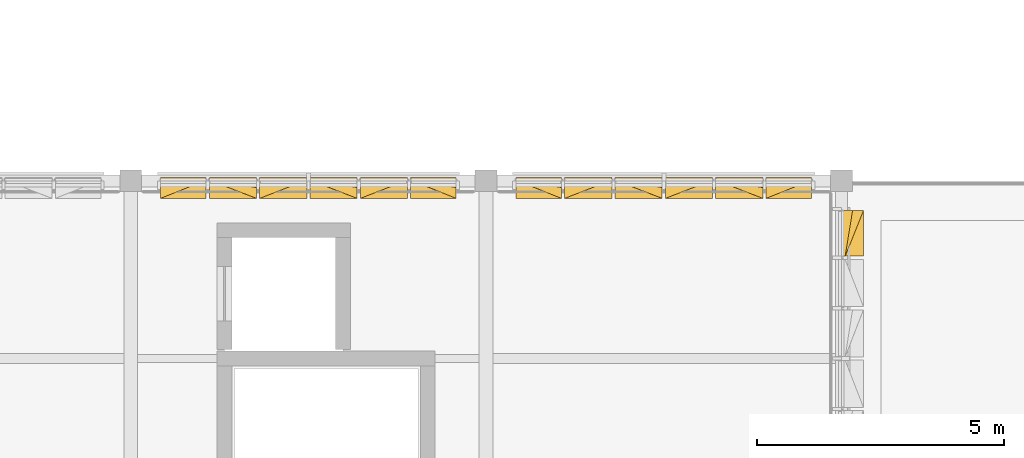
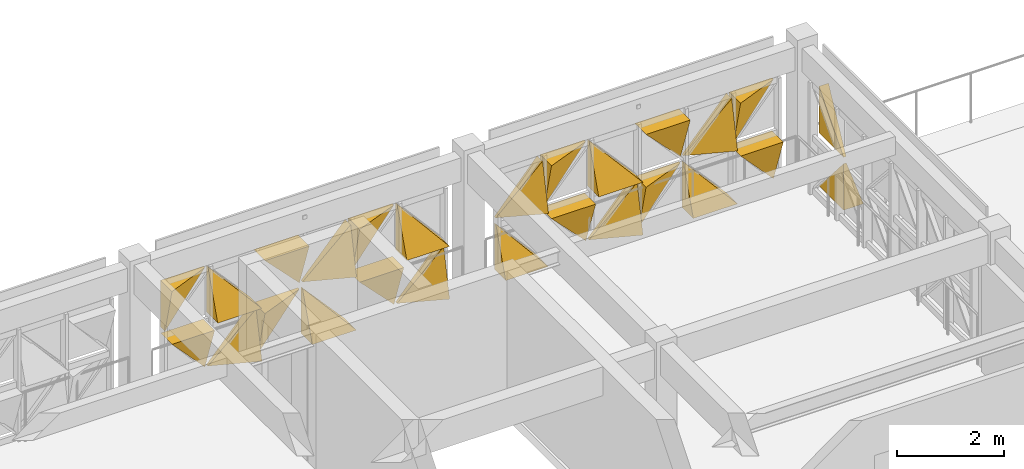
# One storey, part 35 of 35: 26 coverings.
"""IFC4 building model written with IfcOpenShell, lengths in metres."""

from ifc_helpers import new_model, si_unit, direction, frame, origin, place, context, subcontext, project, spatial, polygons, material, layer, layer_set, type_object, element, save


model = new_model("IFC4")

# Units and contexts
model_context = context("Model", 3, precision=1e-05, world=origin(), true_north=direction((0.0, 1.0)))
body_context = subcontext(model_context, "Body", "Model", "MODEL_VIEW")
ifc_project = project(units=[si_unit("LENGTHUNIT", "METRE"), si_unit("AREAUNIT", "SQUARE_METRE"), si_unit("VOLUMEUNIT", "CUBIC_METRE"), si_unit("PLANEANGLEUNIT", "RADIAN"), si_unit("MASSUNIT", "GRAM", prefix="KILO")], contexts=[model_context])

# Site, building, storey
site_placement = place(None, origin())
site = spatial("IfcSite", under=ifc_project, at=site_placement, CompositionType="ELEMENT")
building_placement = place(site_placement, origin())
building = spatial("IfcBuilding", under=site, at=building_placement, Name="Alvorim Cloister Faculty of Sciences", CompositionType="ELEMENT")
storey_placement = place(building_placement, frame((0.0, 0.0, 22.949951171875)))
storey = spatial("IfcBuildingStorey", under=building, at=storey_placement, Name="L06", CompositionType="ELEMENT", Elevation=22.949951171875)

# Coverings
ifc_material = material(Name="Perforated Bronze Alloy Sheet", Category="metal")
ifc_layer = layer(ifc_material, 0.0380859375)
ifc_layer_set = layer_set([ifc_layer], Name="Perforated Bronze Alloy Sheet")
covering_type = type_object("IfcCoveringType", Name="COV-TRI-BRZ", PredefinedType="CLADDING", material=ifc_layer_set)
covering_1_placement = place(storey_placement, frame((36.60498046875, 56.445068359375, 0.14013671875), z_axis=(0.0, 0.0, 1.0), x_axis=(1.0, 0.0, 0.0)))
element("IfcCovering", 1, at=covering_1_placement, inside=storey, type_object=covering_type, Name="Diagonal Solid Metal Triangle TRI-TR", PredefinedType="CLADDING", context=body_context, shape_type="Tessellation", body=[
    polygons([(0.922607421875, 0.0260009765625, 0.002), (0.922607421875, 0.0260009765625, 1.06494140625), (0.002, 0.0260009765625, 1.06494140625), (0.922607421875, -0.03, 0.002), (0.922607421875, -0.4, 1.06494140625), (0.002, -0.4, 1.06494140625)], [[[1, 3, 2]], [[4, 5, 6]], [[1, 2, 5, 4]], [[2, 3, 6, 5]], [[3, 1, 4, 6]]], closed=True),
])
covering_2_placement = place(storey_placement, frame((36.60498046875, 56.445068359375, 1.344970703125), z_axis=(0.0, 0.0, 1.0), x_axis=(1.0, 0.0, 0.0)))
element("IfcCovering", 2, at=covering_2_placement, inside=storey, type_object=covering_type, Name="Diagonal Solid Metal Triangle TRI-TL", PredefinedType="CLADDING", context=body_context, shape_type="Tessellation", body=[
    polygons([(0.920607421875, 0.0260009765625, 1.065185546875), (0.0, 0.0260009765625, 1.065185546875), (0.0, 0.0260009765625, 0.002), (0.920607421875, -0.03, 1.065185546875), (0.0, -0.4, 1.065185546875), (0.0, -0.13999999999999999, 0.002)], [[[1, 3, 2]], [[4, 5, 6]], [[1, 2, 5, 4]], [[2, 3, 6, 5]], [[3, 1, 4, 6]]], closed=True),
])
covering_3_placement = place(storey_placement, frame((37.592529296875, 56.445068359375, 0.14013671875), z_axis=(0.0, 0.0, 1.0), x_axis=(1.0, 0.0, 0.0)))
element("IfcCovering", 3, at=covering_3_placement, inside=storey, type_object=covering_type, Name="Diagonal Solid Metal Triangle TRI-BR", PredefinedType="CLADDING", context=body_context, shape_type="Tessellation", body=[
    polygons([(0.002, 0.0260009765625, 0.0), (0.955078125, 0.0260009765625, 0.0), (0.955078125, 0.0260009765625, 1.06294140625), (0.002, -0.03, 0.0), (0.955078125, -0.4, 0.0), (0.955078125, -0.18000000000000002, 1.06294140625)], [[[1, 3, 2]], [[4, 5, 6]], [[1, 2, 5, 4]], [[2, 3, 6, 5]], [[3, 1, 4, 6]]], closed=True),
])
covering_4_placement = place(storey_placement, frame((37.592529296875, 56.445068359375, 1.344970703125), z_axis=(0.0, 0.0, 1.0), x_axis=(1.0, 0.0, 0.0)))
element("IfcCovering", 4, at=covering_4_placement, inside=storey, type_object=covering_type, Name="Diagonal Solid Metal Triangle TRI-BL", PredefinedType="CLADDING", context=body_context, shape_type="Tessellation", body=[
    polygons([(0.0, 0.0260009765625, 0.0), (0.953078125, 0.0260009765625, 0.0), (0.0, 0.0260009765625, 1.063185546875), (0.0, -0.4, 0.0), (0.953078125, -0.4, 0.0), (0.0, -0.03, 1.063185546875)], [[[1, 3, 2]], [[4, 5, 6]], [[1, 2, 5, 4]], [[2, 3, 6, 5]], [[3, 1, 4, 6]]], closed=True),
])
covering_5_placement = place(storey_placement, frame((38.612548828125, 56.445068359375, 0.14013671875), z_axis=(0.0, 0.0, 1.0), x_axis=(1.0, 0.0, 0.0)))
element("IfcCovering", 5, at=covering_5_placement, inside=storey, type_object=covering_type, Name="Diagonal Solid Metal Triangle TRI-TL", PredefinedType="CLADDING", context=body_context, shape_type="Tessellation", body=[
    polygons([(0.953078125, 0.0260009765625, 1.06494140625), (0.0, 0.0260009765625, 1.06494140625), (0.0, 0.0260009765625, 0.002), (0.953078125, -0.03, 1.06494140625), (0.0, -0.4, 1.06494140625), (0.0, -0.13999999999999999, 0.002)], [[[1, 3, 2]], [[4, 5, 6]], [[1, 2, 5, 4]], [[2, 3, 6, 5]], [[3, 1, 4, 6]]], closed=True),
])
covering_6_placement = place(storey_placement, frame((38.612548828125, 56.445068359375, 1.344970703125), z_axis=(0.0, 0.0, 1.0), x_axis=(1.0, 0.0, 0.0)))
element("IfcCovering", 6, at=covering_6_placement, inside=storey, type_object=covering_type, Name="Diagonal Solid Metal Triangle TRI-TR", PredefinedType="CLADDING", context=body_context, shape_type="Tessellation", body=[
    polygons([(0.955078125, 0.0260009765625, 0.002), (0.955078125, 0.0260009765625, 1.065185546875), (0.002, 0.0260009765625, 1.065185546875), (0.955078125, -0.03, 0.002), (0.955078125, -0.4, 1.065185546875), (0.002, -0.4, 1.065185546875)], [[[1, 3, 2]], [[4, 5, 6]], [[1, 2, 5, 4]], [[2, 3, 6, 5]], [[3, 1, 4, 6]]], closed=True),
])
covering_7_placement = place(storey_placement, frame((39.632568359375, 56.445068359375, 0.14013671875), z_axis=(0.0, 0.0, 1.0), x_axis=(1.0, 0.0, 0.0)))
element("IfcCovering", 7, at=covering_7_placement, inside=storey, type_object=covering_type, Name="Diagonal Solid Metal Triangle TRI-BL", PredefinedType="CLADDING", context=body_context, shape_type="Tessellation", body=[
    polygons([(0.0, 0.0260009765625, 0.0), (0.953078125, 0.0260009765625, 0.0), (0.0, 0.0260009765625, 1.06294140625), (0.0, -0.4, 0.0), (0.953078125, -0.4, 0.0), (0.0, -0.03, 1.06294140625)], [[[1, 3, 2]], [[4, 5, 6]], [[1, 2, 5, 4]], [[2, 3, 6, 5]], [[3, 1, 4, 6]]], closed=True),
])
covering_8_placement = place(storey_placement, frame((39.632568359375, 56.445068359375, 1.344970703125), z_axis=(0.0, 0.0, 1.0), x_axis=(1.0, 0.0, 0.0)))
element("IfcCovering", 8, at=covering_8_placement, inside=storey, type_object=covering_type, Name="Diagonal Solid Metal Triangle TRI-BR", PredefinedType="CLADDING", context=body_context, shape_type="Tessellation", body=[
    polygons([(0.002, 0.0260009765625, 0.0), (0.955078125, 0.0260009765625, 0.0), (0.955078125, 0.0260009765625, 1.063185546875), (0.002, -0.03, 0.0), (0.955078125, -0.4, 0.0), (0.955078125, -0.18000000000000002, 1.063185546875)], [[[1, 3, 2]], [[4, 5, 6]], [[1, 2, 5, 4]], [[2, 3, 6, 5]], [[3, 1, 4, 6]]], closed=True),
])
covering_9_placement = place(storey_placement, frame((40.652587890625, 56.445068359375, 0.14013671875), z_axis=(0.0, 0.0, 1.0), x_axis=(1.0, 0.0, 0.0)))
element("IfcCovering", 9, at=covering_9_placement, inside=storey, type_object=covering_type, Name="Diagonal Solid Metal Triangle TRI-TR", PredefinedType="CLADDING", context=body_context, shape_type="Tessellation", body=[
    polygons([(0.955078125, 0.0260009765625, 0.002), (0.955078125, 0.0260009765625, 1.06494140625), (0.002, 0.0260009765625, 1.06494140625), (0.955078125, -0.03, 0.002), (0.955078125, -0.4, 1.06494140625), (0.002, -0.4, 1.06494140625)], [[[1, 3, 2]], [[4, 5, 6]], [[1, 2, 5, 4]], [[2, 3, 6, 5]], [[3, 1, 4, 6]]], closed=True),
])
covering_10_placement = place(storey_placement, frame((40.652587890625, 56.445068359375, 1.344970703125), z_axis=(0.0, 0.0, 1.0), x_axis=(1.0, 0.0, 0.0)))
element("IfcCovering", 10, at=covering_10_placement, inside=storey, type_object=covering_type, Name="Diagonal Solid Metal Triangle TRI-TL", PredefinedType="CLADDING", context=body_context, shape_type="Tessellation", body=[
    polygons([(0.953078125, 0.0260009765625, 1.065185546875), (0.0, 0.0260009765625, 1.065185546875), (0.0, 0.0260009765625, 0.002), (0.953078125, -0.03, 1.065185546875), (0.0, -0.4, 1.065185546875), (0.0, -0.13999999999999999, 0.002)], [[[1, 3, 2]], [[4, 5, 6]], [[1, 2, 5, 4]], [[2, 3, 6, 5]], [[3, 1, 4, 6]]], closed=True),
])
covering_11_placement = place(storey_placement, frame((41.672607421875, 56.445068359375, 0.14013671875), z_axis=(0.0, 0.0, 1.0), x_axis=(1.0, 0.0, 0.0)))
element("IfcCovering", 11, at=covering_11_placement, inside=storey, type_object=covering_type, Name="Diagonal Solid Metal Triangle TRI-BR", PredefinedType="CLADDING", context=body_context, shape_type="Tessellation", body=[
    polygons([(0.002, 0.0260009765625, 0.0), (0.922607421875, 0.0260009765625, 0.0), (0.922607421875, 0.0260009765625, 1.06294140625), (0.002, -0.03, 0.0), (0.922607421875, -0.4, 0.0), (0.922607421875, -0.18000000000000002, 1.06294140625)], [[[1, 3, 2]], [[4, 5, 6]], [[1, 2, 5, 4]], [[2, 3, 6, 5]], [[3, 1, 4, 6]]], closed=True),
])
covering_12_placement = place(storey_placement, frame((41.672607421875, 56.445068359375, 1.344970703125), z_axis=(0.0, 0.0, 1.0), x_axis=(1.0, 0.0, 0.0)))
element("IfcCovering", 12, at=covering_12_placement, inside=storey, type_object=covering_type, Name="Diagonal Solid Metal Triangle TRI-BL", PredefinedType="CLADDING", context=body_context, shape_type="Tessellation", body=[
    polygons([(0.0, 0.0260009765625, 0.0), (0.920607421875, 0.0260009765625, 0.0), (0.0, 0.0260009765625, 1.063185546875), (0.0, -0.4, 0.0), (0.920607421875, -0.4, 0.0), (0.0, -0.03, 1.063185546875)], [[[1, 3, 2]], [[4, 5, 6]], [[1, 2, 5, 4]], [[2, 3, 6, 5]], [[3, 1, 4, 6]]], closed=True),
])
covering_13_placement = place(storey_placement, frame((43.804931640625, 56.445068359375, 0.14013671875), z_axis=(0.0, 0.0, 1.0), x_axis=(1.0, 0.0, 0.0)))
element("IfcCovering", 13, at=covering_13_placement, inside=storey, type_object=covering_type, Name="Diagonal Solid Metal Triangle TRI-BL", PredefinedType="CLADDING", context=body_context, shape_type="Tessellation", body=[
    polygons([(0.0, 0.0260009765625, 0.0), (0.920607421875, 0.0260009765625, 0.0), (0.0, 0.0260009765625, 1.06294140625), (0.0, -0.4, 0.0), (0.920607421875, -0.4, 0.0), (0.0, -0.03, 1.06294140625)], [[[1, 3, 2]], [[4, 5, 6]], [[1, 2, 5, 4]], [[2, 3, 6, 5]], [[3, 1, 4, 6]]], closed=True),
])
covering_14_placement = place(storey_placement, frame((43.804931640625, 56.445068359375, 1.344970703125), z_axis=(0.0, 0.0, 1.0), x_axis=(1.0, 0.0, 0.0)))
element("IfcCovering", 14, at=covering_14_placement, inside=storey, type_object=covering_type, Name="Diagonal Solid Metal Triangle TRI-BR", PredefinedType="CLADDING", context=body_context, shape_type="Tessellation", body=[
    polygons([(0.002, 0.0260009765625, 0.0), (0.922607421875, 0.0260009765625, 0.0), (0.922607421875, 0.0260009765625, 1.063185546875), (0.002, -0.03, 0.0), (0.922607421875, -0.4, 0.0), (0.922607421875, -0.18000000000000002, 1.063185546875)], [[[1, 3, 2]], [[4, 5, 6]], [[1, 2, 5, 4]], [[2, 3, 6, 5]], [[3, 1, 4, 6]]], closed=True),
])
covering_15_placement = place(storey_placement, frame((44.79248046875, 56.445068359375, 0.14013671875), z_axis=(0.0, 0.0, 1.0), x_axis=(1.0, 0.0, 0.0)))
element("IfcCovering", 15, at=covering_15_placement, inside=storey, type_object=covering_type, Name="Diagonal Solid Metal Triangle TRI-TR", PredefinedType="CLADDING", context=body_context, shape_type="Tessellation", body=[
    polygons([(0.955078125, 0.0260009765625, 0.002), (0.955078125, 0.0260009765625, 1.06494140625), (0.002, 0.0260009765625, 1.06494140625), (0.955078125, -0.03, 0.002), (0.955078125, -0.4, 1.06494140625), (0.002, -0.4, 1.06494140625)], [[[1, 3, 2]], [[4, 5, 6]], [[1, 2, 5, 4]], [[2, 3, 6, 5]], [[3, 1, 4, 6]]], closed=True),
])
covering_16_placement = place(storey_placement, frame((44.79248046875, 56.445068359375, 1.344970703125), z_axis=(0.0, 0.0, 1.0), x_axis=(1.0, 0.0, 0.0)))
element("IfcCovering", 16, at=covering_16_placement, inside=storey, type_object=covering_type, Name="Diagonal Solid Metal Triangle TRI-TL", PredefinedType="CLADDING", context=body_context, shape_type="Tessellation", body=[
    polygons([(0.953078125, 0.0260009765625, 1.065185546875), (0.0, 0.0260009765625, 1.065185546875), (0.0, 0.0260009765625, 0.002), (0.953078125, -0.03, 1.065185546875), (0.0, -0.4, 1.065185546875), (0.0, -0.13999999999999999, 0.002)], [[[1, 3, 2]], [[4, 5, 6]], [[1, 2, 5, 4]], [[2, 3, 6, 5]], [[3, 1, 4, 6]]], closed=True),
])
covering_17_placement = place(storey_placement, frame((45.8125, 56.445068359375, 0.14013671875), z_axis=(0.0, 0.0, 1.0), x_axis=(1.0, 0.0, 0.0)))
element("IfcCovering", 17, at=covering_17_placement, inside=storey, type_object=covering_type, Name="Diagonal Solid Metal Triangle TRI-BR", PredefinedType="CLADDING", context=body_context, shape_type="Tessellation", body=[
    polygons([(0.002, 0.0260009765625, 0.0), (0.955078125, 0.0260009765625, 0.0), (0.955078125, 0.0260009765625, 1.06294140625), (0.002, -0.03, 0.0), (0.955078125, -0.4, 0.0), (0.955078125, -0.18000000000000002, 1.06294140625)], [[[1, 3, 2]], [[4, 5, 6]], [[1, 2, 5, 4]], [[2, 3, 6, 5]], [[3, 1, 4, 6]]], closed=True),
])
covering_18_placement = place(storey_placement, frame((45.8125, 56.445068359375, 1.344970703125), z_axis=(0.0, 0.0, 1.0), x_axis=(1.0, 0.0, 0.0)))
element("IfcCovering", 18, at=covering_18_placement, inside=storey, type_object=covering_type, Name="Diagonal Solid Metal Triangle TRI-BL", PredefinedType="CLADDING", context=body_context, shape_type="Tessellation", body=[
    polygons([(0.0, 0.0260009765625, 0.0), (0.953078125, 0.0260009765625, 0.0), (0.0, 0.0260009765625, 1.063185546875), (0.0, -0.4, 0.0), (0.953078125, -0.4, 0.0), (0.0, -0.03, 1.063185546875)], [[[1, 3, 2]], [[4, 5, 6]], [[1, 2, 5, 4]], [[2, 3, 6, 5]], [[3, 1, 4, 6]]], closed=True),
])
covering_19_placement = place(storey_placement, frame((46.83251953125, 56.445068359375, 0.14013671875), z_axis=(0.0, 0.0, 1.0), x_axis=(1.0, 0.0, 0.0)))
element("IfcCovering", 19, at=covering_19_placement, inside=storey, type_object=covering_type, Name="Diagonal Solid Metal Triangle TRI-TL", PredefinedType="CLADDING", context=body_context, shape_type="Tessellation", body=[
    polygons([(0.953078125, 0.0260009765625, 1.06494140625), (0.0, 0.0260009765625, 1.06494140625), (0.0, 0.0260009765625, 0.002), (0.953078125, -0.03, 1.06494140625), (0.0, -0.4, 1.06494140625), (0.0, -0.13999999999999999, 0.002)], [[[1, 3, 2]], [[4, 5, 6]], [[1, 2, 5, 4]], [[2, 3, 6, 5]], [[3, 1, 4, 6]]], closed=True),
])
covering_20_placement = place(storey_placement, frame((46.83251953125, 56.445068359375, 1.344970703125), z_axis=(0.0, 0.0, 1.0), x_axis=(1.0, 0.0, 0.0)))
element("IfcCovering", 20, at=covering_20_placement, inside=storey, type_object=covering_type, Name="Diagonal Solid Metal Triangle TRI-TR", PredefinedType="CLADDING", context=body_context, shape_type="Tessellation", body=[
    polygons([(0.955078125, 0.0260009765625, 0.002), (0.955078125, 0.0260009765625, 1.065185546875), (0.002, 0.0260009765625, 1.065185546875), (0.955078125, -0.03, 0.002), (0.955078125, -0.4, 1.065185546875), (0.002, -0.4, 1.065185546875)], [[[1, 3, 2]], [[4, 5, 6]], [[1, 2, 5, 4]], [[2, 3, 6, 5]], [[3, 1, 4, 6]]], closed=True),
])
covering_21_placement = place(storey_placement, frame((47.8525390625, 56.445068359375, 0.14013671875), z_axis=(0.0, 0.0, 1.0), x_axis=(1.0, 0.0, 0.0)))
element("IfcCovering", 21, at=covering_21_placement, inside=storey, type_object=covering_type, Name="Diagonal Solid Metal Triangle TRI-BL", PredefinedType="CLADDING", context=body_context, shape_type="Tessellation", body=[
    polygons([(0.0, 0.0260009765625, 0.0), (0.953078125, 0.0260009765625, 0.0), (0.0, 0.0260009765625, 1.06294140625), (0.0, -0.4, 0.0), (0.953078125, -0.4, 0.0), (0.0, -0.03, 1.06294140625)], [[[1, 3, 2]], [[4, 5, 6]], [[1, 2, 5, 4]], [[2, 3, 6, 5]], [[3, 1, 4, 6]]], closed=True),
])
covering_22_placement = place(storey_placement, frame((47.8525390625, 56.445068359375, 1.344970703125), z_axis=(0.0, 0.0, 1.0), x_axis=(1.0, 0.0, 0.0)))
element("IfcCovering", 22, at=covering_22_placement, inside=storey, type_object=covering_type, Name="Diagonal Solid Metal Triangle TRI-BR", PredefinedType="CLADDING", context=body_context, shape_type="Tessellation", body=[
    polygons([(0.002, 0.0260009765625, 0.0), (0.955078125, 0.0260009765625, 0.0), (0.955078125, 0.0260009765625, 1.063185546875), (0.002, -0.03, 0.0), (0.955078125, -0.4, 0.0), (0.955078125, -0.18000000000000002, 1.063185546875)], [[[1, 3, 2]], [[4, 5, 6]], [[1, 2, 5, 4]], [[2, 3, 6, 5]], [[3, 1, 4, 6]]], closed=True),
])
covering_23_placement = place(storey_placement, frame((48.87255859375, 56.445068359375, 0.14013671875), z_axis=(0.0, 0.0, 1.0), x_axis=(1.0, 0.0, 0.0)))
element("IfcCovering", 23, at=covering_23_placement, inside=storey, type_object=covering_type, Name="Diagonal Solid Metal Triangle TRI-TR", PredefinedType="CLADDING", context=body_context, shape_type="Tessellation", body=[
    polygons([(0.922607421875, 0.0260009765625, 0.002), (0.922607421875, 0.0260009765625, 1.06494140625), (0.002, 0.0260009765625, 1.06494140625), (0.922607421875, -0.03, 0.002), (0.922607421875, -0.4, 1.06494140625), (0.002, -0.4, 1.06494140625)], [[[1, 3, 2]], [[4, 5, 6]], [[1, 2, 5, 4]], [[2, 3, 6, 5]], [[3, 1, 4, 6]]], closed=True),
])
covering_24_placement = place(storey_placement, frame((48.87255859375, 56.445068359375, 1.344970703125), z_axis=(0.0, 0.0, 1.0), x_axis=(1.0, 0.0, 0.0)))
element("IfcCovering", 24, at=covering_24_placement, inside=storey, type_object=covering_type, Name="Diagonal Solid Metal Triangle TRI-TL", PredefinedType="CLADDING", context=body_context, shape_type="Tessellation", body=[
    polygons([(0.920607421875, 0.0260009765625, 1.065185546875), (0.0, 0.0260009765625, 1.065185546875), (0.0, 0.0260009765625, 0.002), (0.920607421875, -0.03, 1.065185546875), (0.0, -0.4, 1.065185546875), (0.0, -0.13999999999999999, 0.002)], [[[1, 3, 2]], [[4, 5, 6]], [[1, 2, 5, 4]], [[2, 3, 6, 5]], [[3, 1, 4, 6]]], closed=True),
])
covering_25_placement = place(storey_placement, frame((50.445068359375, 54.87255859375, 0.14013671875), z_axis=(0.0, 0.0, 1.0), x_axis=(0.0, 1.0, 0.0)))
element("IfcCovering", 25, at=covering_25_placement, inside=storey, type_object=covering_type, Name="Diagonal Solid Metal Triangle TRI-BL", PredefinedType="CLADDING", context=body_context, shape_type="Tessellation", body=[
    polygons([(0.0, 0.0260009765625, 0.0), (0.920607421875, 0.0260009765625, 0.0), (0.0, 0.0260009765625, 1.06294140625), (0.0, -0.4, 0.0), (0.920607421875, -0.4, 0.0), (0.0, -0.03, 1.06294140625)], [[[1, 3, 2]], [[4, 5, 6]], [[1, 2, 5, 4]], [[2, 3, 6, 5]], [[3, 1, 4, 6]]], closed=True),
])
covering_26_placement = place(storey_placement, frame((50.445068359375, 54.87255859375, 1.344970703125), z_axis=(0.0, 0.0, 1.0), x_axis=(0.0, 1.0, 0.0)))
element("IfcCovering", 26, at=covering_26_placement, inside=storey, type_object=covering_type, Name="Diagonal Solid Metal Triangle TRI-BR", PredefinedType="CLADDING", context=body_context, shape_type="Tessellation", body=[
    polygons([(0.002, 0.0260009765625, 0.0), (0.922607421875, 0.0260009765625, 0.0), (0.922607421875, 0.0260009765625, 1.063185546875), (0.002, -0.03, 0.0), (0.922607421875, -0.4, 0.0), (0.922607421875, -0.18000000000000002, 1.063185546875)], [[[1, 3, 2]], [[4, 5, 6]], [[1, 2, 5, 4]], [[2, 3, 6, 5]], [[3, 1, 4, 6]]], closed=True),
])

save(model, "model.ifc")
